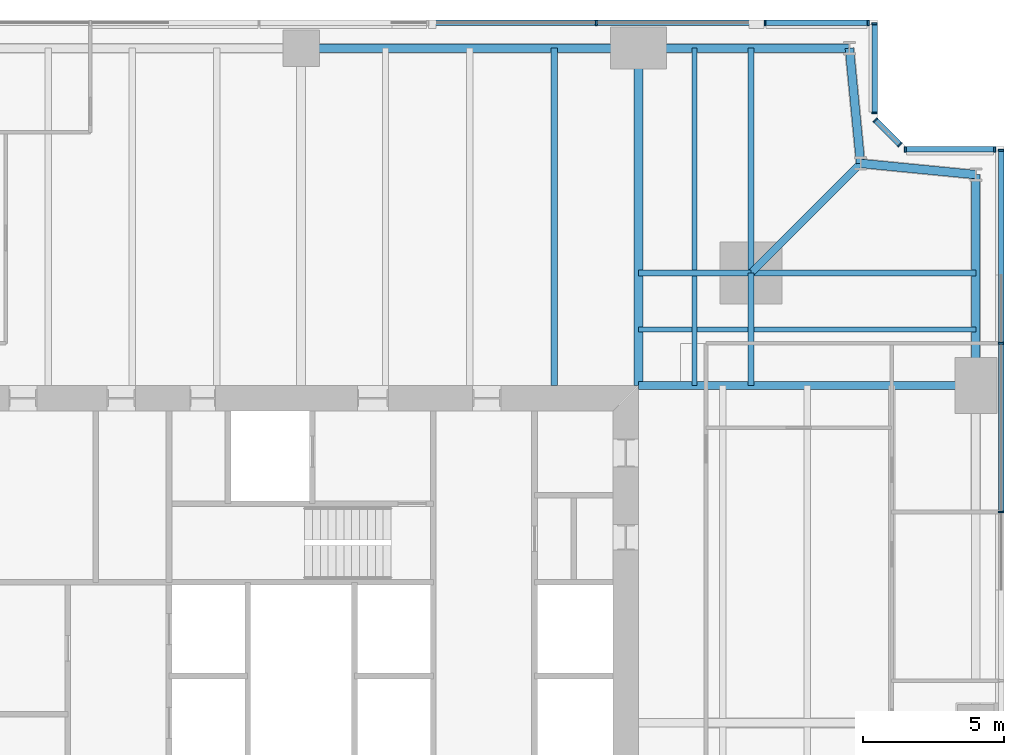
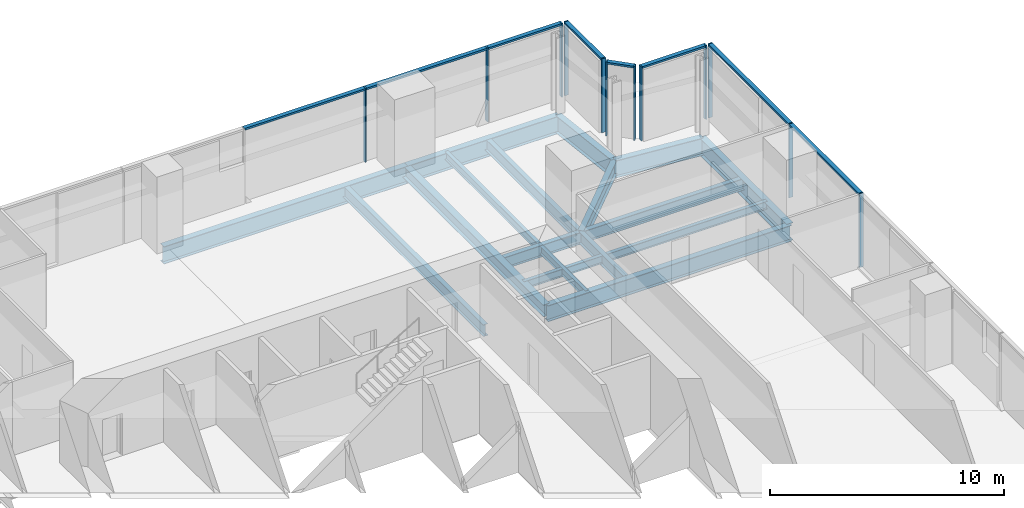
# One storey, part 7 of 13: 20 members, 18 beams, 5 elements without a shape of their own.
"""IFC4 building model written with IfcOpenShell, lengths in metres."""

from ifc_helpers import new_model, si_unit, direction, frame, origin, origin_2d, place, context, subcontext, project, spatial, rectangle, i_section, extrude, material, material_profile, profile_set, type_object, element, aggregate, save


model = new_model("IFC4")

# Units and contexts
model_context = context("Model", 3, precision=1e-05, world=origin(), true_north=direction((0.0, 1.0)))
body_context = subcontext(model_context, "Body", "Model", "MODEL_VIEW")
ifc_project = project(units=[si_unit("LENGTHUNIT", "METRE"), si_unit("AREAUNIT", "SQUARE_METRE"), si_unit("VOLUMEUNIT", "CUBIC_METRE"), si_unit("PLANEANGLEUNIT", "RADIAN"), si_unit("MASSUNIT", "GRAM", prefix="KILO")], contexts=[model_context])

# Site, building, storey
site_placement = place(None, origin())
site = spatial("IfcSite", under=ifc_project, at=site_placement, CompositionType="ELEMENT")
building_placement = place(site_placement, origin())
building = spatial("IfcBuilding", under=site, at=building_placement, Name="Fenwick Lantern Interchange", CompositionType="ELEMENT")
storey_placement = place(building_placement, frame((0.0, 0.0, 142.39990234375)))
storey = spatial("IfcBuildingStorey", under=building, at=storey_placement, Name="L33", CompositionType="ELEMENT", Elevation=142.39990234375)

# Beams
ifc_material_1 = material(Name="Steel ASTM A992 Grade 50", Category="steel")
ifc_material_profile_1 = material_profile(ifc_material_1, i_section(OverallWidth=0.3046875, OverallDepth=0.911865234375, WebThickness=0.015869140625, FlangeThickness=0.02392578125, at=origin_2d()), Name="W36X150")
ifc_profile_set_1 = profile_set([ifc_material_profile_1], Name="Steel ASTM A992 Grade 50")
beam_type_1 = type_object("IfcBeamType", Name="EDGE BEAM W36X150", PredefinedType="SPANDREL", material=ifc_profile_set_1)
beam_1_placement = place(storey_placement, frame((49.0, 37.0, -0.605712890625), z_axis=(0.0, 1.0, 0.0), x_axis=(-1.0, 0.0, 0.0)))
element("IfcBeam", 1, at=beam_1_placement, inside=storey, type_object=beam_type_1, Name="L33/FR/E/EB4", PredefinedType="SPANDREL", context=body_context, shape_type="SweptSolid", body=[
    extrude(i_section(OverallWidth=0.3046875, OverallDepth=0.911865234375, WebThickness=0.015869140625, FlangeThickness=0.02392578125, at=origin_2d()), origin(), (0.0, 0.0, 1.0), 7.5),
])
for number, where, z_axis, x_axis, name in (
    (2, (49.0, 44.5, -0.605712890625), (-0.995277148028, 0.097074191287, 0.0), (-0.097074191287, -0.995277148028, 0.0), "L33/FR/E/EBR1"),
    (3, (44.89990234375, 44.89990234375, -0.605712890625), (-0.097074191287, 0.995277148028, 0.0), (-0.995277148028, -0.097074191287, 0.0), "L33/FR/E/EBR2"),
):
    element("IfcBeam", number, at=place(storey_placement, frame(where, z_axis=z_axis, x_axis=x_axis)), inside=storey, type_object=beam_type_1, Name=name, PredefinedType="SPANDREL", context=body_context, shape_type="SweptSolid", body=[
        extrude(i_section(OverallWidth=0.3046875, OverallDepth=0.911865234375, WebThickness=0.015869140625, FlangeThickness=0.02392578125, at=origin_2d()), origin(), (0.0, 0.0, 1.0), 4.11962890625),
    ])
beam_2_placement = place(storey_placement, frame((44.5, 49.0, -0.605712890625), z_axis=(-1.0, 0.0, 0.0), x_axis=(0.0, -1.0, 0.0)))
element("IfcBeam", 4, at=beam_2_placement, inside=storey, type_object=beam_type_1, Name="L33/FR/N/EB1", PredefinedType="SPANDREL", context=body_context, shape_type="SweptSolid", body=[
    extrude(i_section(OverallWidth=0.3046875, OverallDepth=0.911865234375, WebThickness=0.015869140625, FlangeThickness=0.02392578125, at=origin_2d()), origin(), (0.0, 0.0, 1.0), 7.5),
])
beam_3_placement = place(storey_placement, frame((37.0, 49.0, -0.605712890625), z_axis=(-1.0, 0.0, 0.0), x_axis=(0.0, -1.0, 0.0)))
element("IfcBeam", 5, at=beam_3_placement, inside=storey, type_object=beam_type_1, Name="L33/FR/N/EB2", PredefinedType="SPANDREL", context=body_context, shape_type="SweptSolid", body=[
    extrude(i_section(OverallWidth=0.3046875, OverallDepth=0.911865234375, WebThickness=0.015869140625, FlangeThickness=0.02392578125, at=origin_2d()), origin(), (0.0, 0.0, 1.0), 12.0),
])
ifc_material_profile_2 = material_profile(ifc_material_1, i_section(OverallWidth=0.22900390625, OverallDepth=0.612060546875, WebThickness=0.011962890625, FlangeThickness=0.01953125, at=origin_2d()), Name="W24X84")
ifc_profile_set_2 = profile_set([ifc_material_profile_2], Name="Steel ASTM A992 Grade 50")
beam_type_2 = type_object("IfcBeamType", Name="FLOOR BEAM W24X84", PredefinedType="BEAM", material=ifc_profile_set_2)
beam_4_placement = place(storey_placement, frame((34.0, 49.0, -0.4560546875), z_axis=(0.0, -1.0, 0.0), x_axis=(1.0, 0.0, 0.0)))
element("IfcBeam", 6, at=beam_4_placement, inside=storey, type_object=beam_type_2, Name="L33/FR/N/R02", PredefinedType="BEAM", context=body_context, shape_type="SweptSolid", body=[
    extrude(i_section(OverallWidth=0.22900390625, OverallDepth=0.612060546875, WebThickness=0.011962890625, FlangeThickness=0.01953125, at=origin_2d()), origin(), (0.0, 0.0, 1.0), 12.0),
])
ifc_material_profile_3 = material_profile(ifc_material_1, i_section(OverallWidth=0.177734375, OverallDepth=0.406494140625, WebThickness=0.0078125, FlangeThickness=0.012939453125, at=origin_2d()), Name="W16X40")
ifc_profile_set_3 = profile_set([ifc_material_profile_3], Name="Steel ASTM A992 Grade 50")
beam_type_3 = type_object("IfcBeamType", Name="INFILL BEAM W16X40", PredefinedType="JOIST", material=ifc_profile_set_3)
beam_5_placement = place(storey_placement, frame((39.0, 49.0, -0.35302734375), z_axis=(0.0, -1.0, 0.0), x_axis=(1.0, 0.0, 0.0)))
element("IfcBeam", 7, at=beam_5_placement, inside=storey, type_object=beam_type_3, Name="L33/FR/N/J1", PredefinedType="JOIST", context=body_context, shape_type="SweptSolid", body=[
    extrude(i_section(OverallWidth=0.177734375, OverallDepth=0.406494140625, WebThickness=0.0078125, FlangeThickness=0.012939453125, at=origin_2d()), origin(), (0.0, 0.0, 1.0), 7.885498046875),
])
beam_6_placement = place(storey_placement, frame((39.0, 40.885498046875, -0.35302734375), z_axis=(0.0, -1.0, 0.0), x_axis=(1.0, 0.0, 0.0)))
element("IfcBeam", 8, at=beam_6_placement, inside=storey, type_object=beam_type_3, Name="L33/FR/N/J2", PredefinedType="JOIST", context=body_context, shape_type="SweptSolid", body=[
    extrude(i_section(OverallWidth=0.177734375, OverallDepth=0.406494140625, WebThickness=0.0078125, FlangeThickness=0.012939453125, at=origin_2d()), origin(), (0.0, 0.0, 1.0), 3.885498046875),
])
beam_7_placement = place(storey_placement, frame((49.0, 39.0, -0.35302734375), z_axis=(-1.0, 0.0, 0.0), x_axis=(0.0, -1.0, 0.0)))
element("IfcBeam", 9, at=beam_7_placement, inside=storey, type_object=beam_type_3, Name="L33/FR/N/J3", PredefinedType="JOIST", context=body_context, shape_type="SweptSolid", body=[
    extrude(i_section(OverallWidth=0.177734375, OverallDepth=0.406494140625, WebThickness=0.0078125, FlangeThickness=0.012939453125, at=origin_2d()), origin(), (0.0, 0.0, 1.0), 7.885498046875),
])
beam_8_placement = place(storey_placement, frame((40.885498046875, 39.0, -0.35302734375), z_axis=(-1.0, 0.0, 0.0), x_axis=(0.0, -1.0, 0.0)))
element("IfcBeam", 10, at=beam_8_placement, inside=storey, type_object=beam_type_3, Name="L33/FR/N/J4", PredefinedType="JOIST", context=body_context, shape_type="SweptSolid", body=[
    extrude(i_section(OverallWidth=0.177734375, OverallDepth=0.406494140625, WebThickness=0.0078125, FlangeThickness=0.012939453125, at=origin_2d()), origin(), (0.0, 0.0, 1.0), 1.796630859375),
])
beam_9_placement = place(storey_placement, frame((38.9111328125, 39.0, -0.35302734375), z_axis=(-1.0, 0.0, 0.0), x_axis=(0.0, -1.0, 0.0)))
element("IfcBeam", 11, at=beam_9_placement, inside=storey, type_object=beam_type_3, Name="L33/FR/N/J5", PredefinedType="JOIST", context=body_context, shape_type="SweptSolid", body=[
    extrude(i_section(OverallWidth=0.177734375, OverallDepth=0.406494140625, WebThickness=0.0078125, FlangeThickness=0.012939453125, at=origin_2d()), origin(), (0.0, 0.0, 1.0), 1.9111328125),
])
ifc_material_profile_4 = material_profile(ifc_material_1, i_section(OverallWidth=0.22900390625, OverallDepth=0.612060546875, WebThickness=0.011962890625, FlangeThickness=0.01953125, at=origin_2d()), Name="W24X84")
ifc_profile_set_4 = profile_set([ifc_material_profile_4], Name="Steel ASTM A992 Grade 50")
beam_type_4 = type_object("IfcBeamType", Name="MEGA COLUMN BEAM W24X84", PredefinedType="BEAM", material=ifc_profile_set_4)
for number, where, z_axis, x_axis, name in (
    (12, (41.0, 41.0, -0.4560546875), (0.0, 1.0, 0.0), (-1.0, 0.0, 0.0), "L33/FR/N/MB1"),
    (13, (41.0, 41.0, -0.4560546875), (1.0, 0.0, 0.0), (0.0, 1.0, 0.0), "L33/FR/N/MB2"),
):
    element("IfcBeam", number, at=place(storey_placement, frame(where, z_axis=z_axis, x_axis=x_axis)), inside=storey, type_object=beam_type_4, Name=name, PredefinedType="BEAM", context=body_context, shape_type="SweptSolid", body=[
        extrude(i_section(OverallWidth=0.22900390625, OverallDepth=0.612060546875, WebThickness=0.011962890625, FlangeThickness=0.01953125, at=origin_2d()), origin(), (0.0, 0.0, 1.0), 8.0),
    ])
for number, where, z_axis, x_axis, name in (
    (14, (41.0, 41.0, -0.4560546875), (-1.0, 0.0, 0.0), (0.0, -1.0, 0.0), "L33/FR/N/MB3"),
    (15, (41.0, 41.0, -0.4560546875), (0.0, -1.0, 0.0), (1.0, 0.0, 0.0), "L33/FR/N/MB4"),
):
    element("IfcBeam", number, at=place(storey_placement, frame(where, z_axis=z_axis, x_axis=x_axis)), inside=storey, type_object=beam_type_4, Name=name, PredefinedType="BEAM", context=body_context, shape_type="SweptSolid", body=[
        extrude(i_section(OverallWidth=0.22900390625, OverallDepth=0.612060546875, WebThickness=0.011962890625, FlangeThickness=0.01953125, at=origin_2d()), origin(), (0.0, 0.0, 1.0), 4.0),
    ])
ifc_material_profile_5 = material_profile(ifc_material_1, i_section(OverallWidth=0.32763671875, OverallDepth=0.622314453125, WebThickness=0.015380859375, FlangeThickness=0.0244140625, at=origin_2d()), Name="W24X131")
ifc_profile_set_5 = profile_set([ifc_material_profile_5], Name="Steel ASTM A992 Grade 50")
beam_type_5 = type_object("IfcBeamType", Name="MOMENT-CONNECTED GIRDER W24X131", PredefinedType="BEAM", material=ifc_profile_set_5)
beam_10_placement = place(storey_placement, frame((37.0, 49.0, -0.4609375), z_axis=(0.0, -1.0, 0.0), x_axis=(1.0, 0.0, 0.0)))
element("IfcBeam", 16, at=beam_10_placement, inside=storey, type_object=beam_type_5, Name="L33/FR/N/R01", PredefinedType="BEAM", context=body_context, shape_type="SweptSolid", body=[
    extrude(i_section(OverallWidth=0.32763671875, OverallDepth=0.622314453125, WebThickness=0.015380859375, FlangeThickness=0.0244140625, at=origin_2d()), origin(), (0.0, 0.0, 1.0), 12.0),
])
ifc_material_profile_6 = material_profile(ifc_material_1, i_section(OverallWidth=0.2919921875, OverallDepth=0.845703125, WebThickness=0.015380859375, FlangeThickness=0.0244140625, at=origin_2d()), Name="W33X141")
ifc_profile_set_6 = profile_set([ifc_material_profile_6], Name="Steel ASTM A992 Grade 50")
beam_type_6 = type_object("IfcBeamType", Name="MOMENT-CONNECTED GIRDER W33X141", PredefinedType="BEAM", material=ifc_profile_set_6)
beam_11_placement = place(storey_placement, frame((49.0, 37.0, -0.57275390625), z_axis=(-1.0, 0.0, 0.0), x_axis=(0.0, -1.0, 0.0)))
element("IfcBeam", 17, at=beam_11_placement, inside=storey, type_object=beam_type_6, Name="L33/FR/E/R03", PredefinedType="BEAM", context=body_context, shape_type="SweptSolid", body=[
    extrude(i_section(OverallWidth=0.2919921875, OverallDepth=0.845703125, WebThickness=0.015380859375, FlangeThickness=0.0244140625, at=origin_2d()), origin(), (0.0, 0.0, 1.0), 12.0),
])
ifc_material_profile_7 = material_profile(ifc_material_1, i_section(OverallWidth=0.2666015625, OverallDepth=0.7568359375, WebThickness=0.013916015625, FlangeThickness=0.019287109375, at=origin_2d()), Name="W30X108")
ifc_profile_set_7 = profile_set([ifc_material_profile_7], Name="Steel ASTM A992 Grade 50")
beam_type_7 = type_object("IfcBeamType", Name="NOTCH BEAM W30X108", PredefinedType="BEAM", material=ifc_profile_set_7)
beam_12_placement = place(storey_placement, frame((41.0, 41.0, -0.5283203125), z_axis=(0.707106781187, 0.707106781187, 0.0), x_axis=(-0.707106781187, 0.707106781187, 0.0)))
element("IfcBeam", 18, at=beam_12_placement, inside=storey, type_object=beam_type_7, Name="L33/FR/N/TG", PredefinedType="BEAM", context=body_context, shape_type="SweptSolid", body=[
    extrude(i_section(OverallWidth=0.2666015625, OverallDepth=0.7568359375, WebThickness=0.013916015625, FlangeThickness=0.019287109375, at=origin_2d()), origin(), (0.0, 0.0, 1.0), 5.515380859375),
])

# Curtain wall, members
ifc_material_2 = material(Name="Aluminium curtain wall frame", Category="aluminium")
curtain_wall_type = type_object("IfcCurtainWallType", Name="OFFICE CURTAIN WALL", PredefinedType="USERDEFINED", material=ifc_material_2)
curtain_wall_1_placement = place(storey_placement, origin())
curtain_wall_1 = element("IfcCurtainWall", 19, at=curtain_wall_1_placement, inside=storey, type_object=curtain_wall_type, Name="Office curtain wall 05", ObjectType="OFFICE CURTAIN WALL", PredefinedType="USERDEFINED")
ifc_material_3 = material(Name="Aluminium extrusion", Category="aluminium")
ifc_material_profile_8 = material_profile(ifc_material_3, rectangle(XDim=0.199951171875, YDim=0.06494140625, at=origin_2d()), Name="OFFICE CURTAIN WALL MULLION 65 X 200")
ifc_profile_set_8 = profile_set([ifc_material_profile_8], Name="Aluminium extrusion")
member_type_1 = type_object("IfcMemberType", Name="OFFICE CURTAIN WALL MULLION 65 X 200", PredefinedType="MULLION", material=ifc_profile_set_8)
member_1_placement = place(storey_placement, frame((49.89990234375, 32.5, 0.0), z_axis=(0.0, 0.0, 1.0), x_axis=(-1.0, 0.0, 0.0)))
member_1 = element("IfcMember", 20, at=member_1_placement, type_object=member_type_1, Name="L33/CW/05/M05", PredefinedType="MULLION", context=body_context, shape_type="SweptSolid", body=[
    extrude(rectangle(XDim=0.199951171875, YDim=0.06494140625, at=origin_2d()), origin(), (0.0, 0.0, 1.0), 3.85009765625),
])
member_2_placement = place(storey_placement, frame((49.89990234375, 38.5, 0.0), z_axis=(0.0, 0.0, 1.0), x_axis=(-1.0, 0.0, 0.0)))
member_2 = element("IfcMember", 21, at=member_2_placement, type_object=member_type_1, Name="L33/CW/05/M06", PredefinedType="MULLION", context=body_context, shape_type="SweptSolid", body=[
    extrude(rectangle(XDim=0.199951171875, YDim=0.06494140625, at=origin_2d()), origin(), (0.0, 0.0, 1.0), 3.85009765625),
])
member_3_placement = place(storey_placement, frame((49.89990234375, 45.367431640625, 0.0), z_axis=(0.0, 0.0, 1.0), x_axis=(-1.0, 0.0, 0.0)))
member_3 = element("IfcMember", 22, at=member_3_placement, type_object=member_type_1, Name="L33/CW/05/M07", PredefinedType="MULLION", context=body_context, shape_type="SweptSolid", body=[
    extrude(rectangle(XDim=0.199951171875, YDim=0.06494140625, at=origin_2d()), origin(), (0.0, 0.0, 1.0), 3.85009765625),
])

curtain_wall_2_placement = place(storey_placement, origin())
curtain_wall_2 = element("IfcCurtainWall", 23, at=curtain_wall_2_placement, inside=storey, type_object=curtain_wall_type, Name="Office curtain wall 06", ObjectType="OFFICE CURTAIN WALL", PredefinedType="USERDEFINED")
member_4_placement = place(storey_placement, frame((49.66748046875, 45.39990234375, 0.0), z_axis=(0.0, 0.0, 1.0), x_axis=(0.0, -1.0, 0.0)))
member_4 = element("IfcMember", 24, at=member_4_placement, type_object=member_type_1, Name="L33/CW/06/M00", PredefinedType="MULLION", context=body_context, shape_type="SweptSolid", body=[
    extrude(rectangle(XDim=0.199951171875, YDim=0.06494140625, at=origin_2d()), origin(), (0.0, 0.0, 1.0), 3.85009765625),
])
member_5_placement = place(storey_placement, frame((46.490966796875, 45.39990234375, 0.0), z_axis=(0.0, 0.0, 1.0), x_axis=(0.0, -1.0, 0.0)))
member_5 = element("IfcMember", 25, at=member_5_placement, type_object=member_type_1, Name="L33/CW/06/M01", PredefinedType="MULLION", context=body_context, shape_type="SweptSolid", body=[
    extrude(rectangle(XDim=0.199951171875, YDim=0.06494140625, at=origin_2d()), origin(), (0.0, 0.0, 1.0), 3.85009765625),
])

curtain_wall_3_placement = place(storey_placement, origin())
curtain_wall_3 = element("IfcCurtainWall", 26, at=curtain_wall_3_placement, inside=storey, type_object=curtain_wall_type, Name="Office curtain wall 07", ObjectType="OFFICE CURTAIN WALL", PredefinedType="USERDEFINED")
member_6_placement = place(storey_placement, frame((46.294189453125, 45.564453125, 0.0), z_axis=(0.0, 0.0, 1.0), x_axis=(-0.707106781187, -0.707106781187, 0.0)))
member_6 = element("IfcMember", 27, at=member_6_placement, type_object=member_type_1, Name="L33/CW/07/M00", PredefinedType="MULLION", context=body_context, shape_type="SweptSolid", body=[
    extrude(rectangle(XDim=0.199951171875, YDim=0.06494140625, at=origin_2d()), origin(), (0.0, 0.0, 1.0), 3.85009765625),
])
member_7_placement = place(storey_placement, frame((45.423095703125, 46.435546875, 0.0), z_axis=(0.0, 0.0, 1.0), x_axis=(-0.707106781187, -0.707106781187, 0.0)))
member_7 = element("IfcMember", 28, at=member_7_placement, type_object=member_type_1, Name="L33/CW/07/M01", PredefinedType="MULLION", context=body_context, shape_type="SweptSolid", body=[
    extrude(rectangle(XDim=0.199951171875, YDim=0.06494140625, at=origin_2d()), origin(), (0.0, 0.0, 1.0), 3.85009765625),
])

curtain_wall_4_placement = place(storey_placement, origin())
curtain_wall_4 = element("IfcCurtainWall", 29, at=curtain_wall_4_placement, inside=storey, type_object=curtain_wall_type, Name="Office curtain wall 08", ObjectType="OFFICE CURTAIN WALL", PredefinedType="USERDEFINED")
member_8_placement = place(storey_placement, frame((45.39990234375, 46.691162109375, 0.0), z_axis=(0.0, 0.0, 1.0), x_axis=(-1.0, 0.0, 0.0)))
member_8 = element("IfcMember", 30, at=member_8_placement, type_object=member_type_1, Name="L33/CW/08/M00", PredefinedType="MULLION", context=body_context, shape_type="SweptSolid", body=[
    extrude(rectangle(XDim=0.199951171875, YDim=0.06494140625, at=origin_2d()), origin(), (0.0, 0.0, 1.0), 3.85009765625),
])
member_9_placement = place(storey_placement, frame((45.39990234375, 49.867431640625, 0.0), z_axis=(0.0, 0.0, 1.0), x_axis=(-1.0, 0.0, 0.0)))
member_9 = element("IfcMember", 31, at=member_9_placement, type_object=member_type_1, Name="L33/CW/08/M01", PredefinedType="MULLION", context=body_context, shape_type="SweptSolid", body=[
    extrude(rectangle(XDim=0.199951171875, YDim=0.06494140625, at=origin_2d()), origin(), (0.0, 0.0, 1.0), 3.85009765625),
])

curtain_wall_5_placement = place(storey_placement, origin())
curtain_wall_5 = element("IfcCurtainWall", 32, at=curtain_wall_5_placement, inside=storey, type_object=curtain_wall_type, Name="Office curtain wall 09", ObjectType="OFFICE CURTAIN WALL", PredefinedType="USERDEFINED")
member_10_placement = place(storey_placement, frame((45.16748046875, 49.89990234375, 0.0), z_axis=(0.0, 0.0, 1.0), x_axis=(0.0, -1.0, 0.0)))
member_10 = element("IfcMember", 33, at=member_10_placement, type_object=member_type_1, Name="L33/CW/09/M00", PredefinedType="MULLION", context=body_context, shape_type="SweptSolid", body=[
    extrude(rectangle(XDim=0.199951171875, YDim=0.06494140625, at=origin_2d()), origin(), (0.0, 0.0, 1.0), 3.85009765625),
])
member_11_placement = place(storey_placement, frame((41.5, 49.89990234375, 0.0), z_axis=(0.0, 0.0, 1.0), x_axis=(0.0, -1.0, 0.0)))
member_11 = element("IfcMember", 34, at=member_11_placement, type_object=member_type_1, Name="L33/CW/09/M01", PredefinedType="MULLION", context=body_context, shape_type="SweptSolid", body=[
    extrude(rectangle(XDim=0.199951171875, YDim=0.06494140625, at=origin_2d()), origin(), (0.0, 0.0, 1.0), 3.85009765625),
])
member_12_placement = place(storey_placement, frame((35.5, 49.89990234375, 0.0), z_axis=(0.0, 0.0, 1.0), x_axis=(0.0, -1.0, 0.0)))
member_12 = element("IfcMember", 35, at=member_12_placement, type_object=member_type_1, Name="L33/CW/09/M02", PredefinedType="MULLION", context=body_context, shape_type="SweptSolid", body=[
    extrude(rectangle(XDim=0.199951171875, YDim=0.06494140625, at=origin_2d()), origin(), (0.0, 0.0, 1.0), 3.85009765625),
])

# Member
ifc_material_profile_9 = material_profile(ifc_material_3, rectangle(XDim=0.199951171875, YDim=0.10009765625, at=origin_2d()), Name="OFFICE CURTAIN WALL TRANSOM 100 X 200")
ifc_profile_set_9 = profile_set([ifc_material_profile_9], Name="Aluminium extrusion")
member_type_2 = type_object("IfcMemberType", Name="OFFICE CURTAIN WALL TRANSOM 100 X 200", PredefinedType="MULLION", material=ifc_profile_set_9)
member_13_placement = place(storey_placement, frame((49.89990234375, 32.532470703125, 3.800048828125), z_axis=(0.0, 1.0, 0.0), x_axis=(-1.0, 0.0, 0.0)))
member_13 = element("IfcMember", 36, at=member_13_placement, type_object=member_type_2, Name="L33/CW/05/T05", PredefinedType="MULLION", context=body_context, shape_type="SweptSolid", body=[
    extrude(rectangle(XDim=0.199951171875, YDim=0.10009765625, at=origin_2d()), origin(), (0.0, 0.0, 1.0), 5.93505859375),
])

member_14_placement = place(storey_placement, frame((49.89990234375, 38.532470703125, 3.800048828125), z_axis=(0.0, 1.0, 0.0), x_axis=(-1.0, 0.0, 0.0)))
member_14 = element("IfcMember", 37, at=member_14_placement, type_object=member_type_2, Name="L33/CW/05/T06", PredefinedType="MULLION", context=body_context, shape_type="SweptSolid", body=[
    extrude(rectangle(XDim=0.199951171875, YDim=0.10009765625, at=origin_2d()), origin(), (0.0, 0.0, 1.0), 6.802490234375),
])

aggregate(curtain_wall_1, [member_1, member_2, member_3, member_13, member_14])

member_15_placement = place(storey_placement, frame((49.635009765625, 45.39990234375, 3.800048828125), z_axis=(-1.0, 0.0, 0.0), x_axis=(0.0, -1.0, 0.0)))
member_15 = element("IfcMember", 38, at=member_15_placement, type_object=member_type_2, Name="L33/CW/06/T00", PredefinedType="MULLION", context=body_context, shape_type="SweptSolid", body=[
    extrude(rectangle(XDim=0.199951171875, YDim=0.10009765625, at=origin_2d()), origin(), (0.0, 0.0, 1.0), 3.111328125),
])

aggregate(curtain_wall_2, [member_4, member_5, member_15])

member_16_placement = place(storey_placement, frame((46.271240234375, 45.58740234375, 3.800048828125), z_axis=(-0.707106781187, 0.707106781187, 0.0), x_axis=(-0.707106781187, -0.707106781187, 0.0)))
member_16 = element("IfcMember", 39, at=member_16_placement, type_object=member_type_2, Name="L33/CW/07/T00", PredefinedType="MULLION", context=body_context, shape_type="SweptSolid", body=[
    extrude(rectangle(XDim=0.199951171875, YDim=0.10009765625, at=origin_2d()), origin(), (0.0, 0.0, 1.0), 1.1669921875),
])

aggregate(curtain_wall_3, [member_6, member_7, member_16])

member_17_placement = place(storey_placement, frame((45.39990234375, 46.7236328125, 3.800048828125), z_axis=(0.0, 1.0, 0.0), x_axis=(-1.0, 0.0, 0.0)))
member_17 = element("IfcMember", 40, at=member_17_placement, type_object=member_type_2, Name="L33/CW/08/T00", PredefinedType="MULLION", context=body_context, shape_type="SweptSolid", body=[
    extrude(rectangle(XDim=0.199951171875, YDim=0.10009765625, at=origin_2d()), origin(), (0.0, 0.0, 1.0), 3.111328125),
])

aggregate(curtain_wall_4, [member_8, member_9, member_17])

member_18_placement = place(storey_placement, frame((45.135009765625, 49.89990234375, 3.800048828125), z_axis=(-1.0, 0.0, 0.0), x_axis=(0.0, -1.0, 0.0)))
member_18 = element("IfcMember", 41, at=member_18_placement, type_object=member_type_2, Name="L33/CW/09/T00", PredefinedType="MULLION", context=body_context, shape_type="SweptSolid", body=[
    extrude(rectangle(XDim=0.199951171875, YDim=0.10009765625, at=origin_2d()), origin(), (0.0, 0.0, 1.0), 3.6025390625),
])

member_19_placement = place(storey_placement, frame((41.467529296875, 49.89990234375, 3.800048828125), z_axis=(-1.0, 0.0, 0.0), x_axis=(0.0, -1.0, 0.0)))
member_19 = element("IfcMember", 42, at=member_19_placement, type_object=member_type_2, Name="L33/CW/09/T01", PredefinedType="MULLION", context=body_context, shape_type="SweptSolid", body=[
    extrude(rectangle(XDim=0.199951171875, YDim=0.10009765625, at=origin_2d()), origin(), (0.0, 0.0, 1.0), 5.93505859375),
])

member_20_placement = place(storey_placement, frame((35.467529296875, 49.89990234375, 3.800048828125), z_axis=(-1.0, 0.0, 0.0), x_axis=(0.0, -1.0, 0.0)))
member_20 = element("IfcMember", 43, at=member_20_placement, type_object=member_type_2, Name="L33/CW/09/T02", PredefinedType="MULLION", context=body_context, shape_type="SweptSolid", body=[
    extrude(rectangle(XDim=0.199951171875, YDim=0.10009765625, at=origin_2d()), origin(), (0.0, 0.0, 1.0), 5.93505859375),
])

aggregate(curtain_wall_5, [member_10, member_11, member_12, member_18, member_19, member_20])

save(model, "model.ifc")
